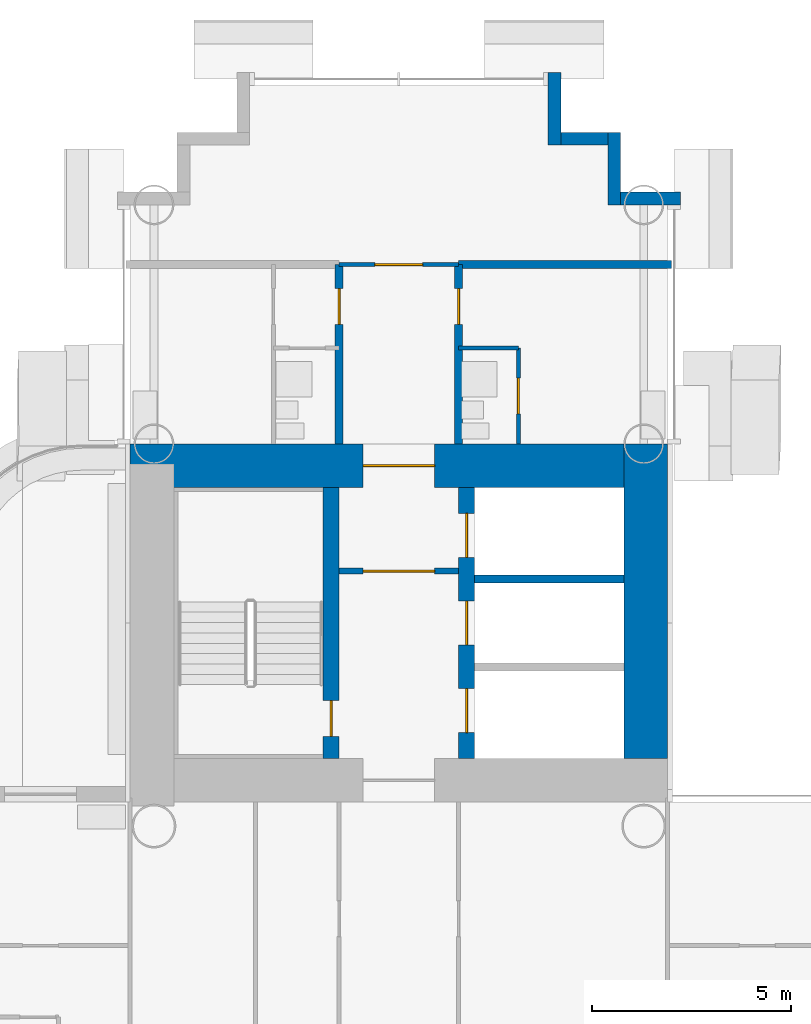
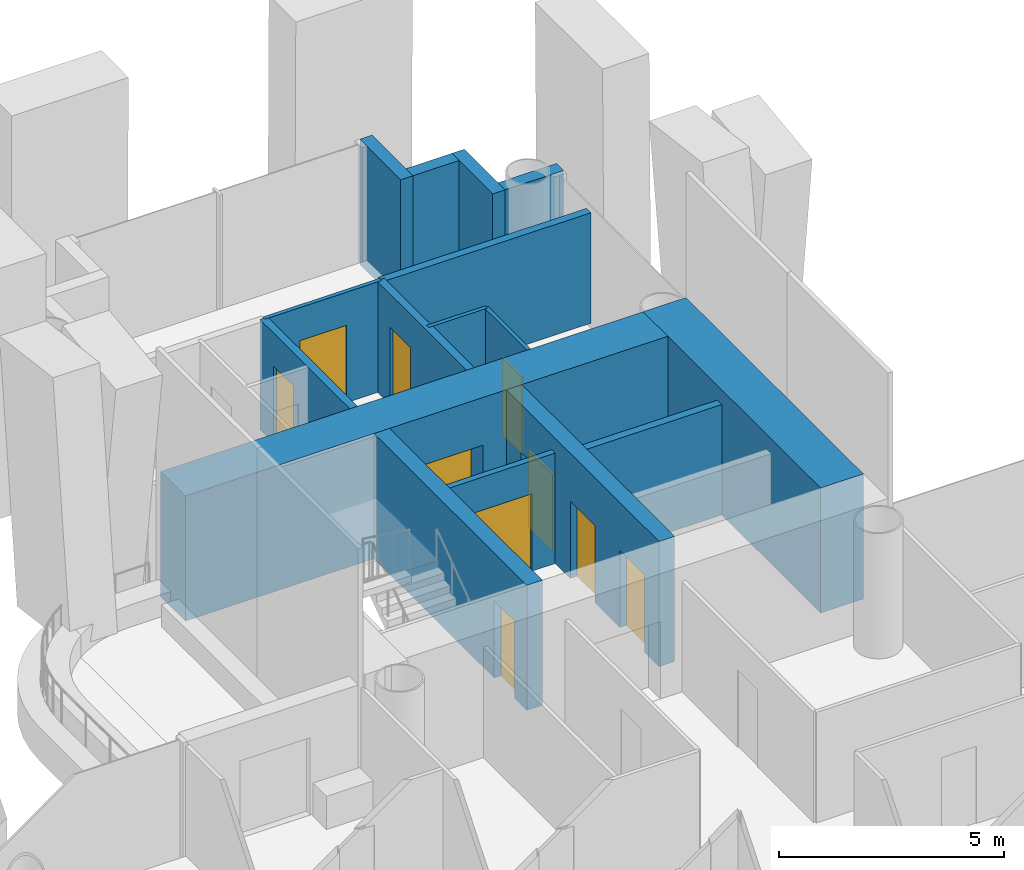
# One storey, part 16 of 23: 16 walls, 10 doors, 10 openings.
"""IFC4 building model written with IfcOpenShell, lengths in metres."""

import ifcopenshell
import ifcopenshell.guid

model = None  # the IFC model being written
_history = None  # IfcOwnerHistory: only IFC2X3 demands one
_inside = {}  # id of a spatial element -> (the spatial element, [elements in it])
_under = {}  # id of a project, library or spatial element -> (it, [spatial elements below it])
_declared = {}  # id of a project -> (the project, [libraries it declares])
_typed = {}  # id of a type object -> (the type object, [elements of that type])
_made_of = {}  # id of a material, layer set ... -> (it, [elements and type objects made of it])


def new_model(schema):
    """Start an empty IFC model of exactly this schema.

    Asked for "IFC4X3", IfcOpenShell would pick the latest addendum, in which some entities
    have other attributes; the version numbers below select the first issue.
    IFC2X3 requires an IfcOwnerHistory on every rooted entity: one is made here for all.
    """
    global model, _history
    if schema == "IFC4X3":
        model = ifcopenshell.file(schema_version=(4, 3, 0, 0))
    else:
        model = ifcopenshell.file(schema=schema)
    _inside.clear()
    _under.clear()
    _declared.clear()
    _typed.clear()
    _made_of.clear()
    _history = None
    if model.schema == "IFC2X3":
        org = make("IfcOrganization", Name="unknown")
        user = make(
            "IfcPersonAndOrganization",
            ThePerson=make("IfcPerson", FamilyName="unknown"),
            TheOrganization=org,
        )
        app = make(
            "IfcApplication",
            ApplicationDeveloper=org,
            Version="unknown",
            ApplicationFullName="unknown",
            ApplicationIdentifier="unknown",
        )
        _history = make(
            "IfcOwnerHistory",
            OwningUser=user,
            OwningApplication=app,
            ChangeAction="ADDED",
            CreationDate=0,
        )
    return model


def make(cls, **values):
    """One entity of the class cls with the attributes given. An attribute that is None is left unset."""
    return model.create_entity(
        cls, **{name: value for name, value in values.items() if value is not None}
    )


def rooted(cls, **values):
    """An entity with a GlobalId (a new one), such as an element, a storey or a relation."""
    return make(cls, GlobalId=ifcopenshell.guid.new(), OwnerHistory=_history, **values)


def si_unit(unit_type, name, prefix=None):
    """IfcSIUnit, for example si_unit("LENGTHUNIT", "METRE", prefix="MILLI")."""
    return make("IfcSIUnit", UnitType=unit_type, Prefix=prefix, Name=name)


def assignment(units):
    """IfcUnitAssignment: the units of a project."""
    return None if units is None else make("IfcUnitAssignment", Units=units)


def point(xyz):
    """IfcCartesianPoint."""
    return None if xyz is None else make("IfcCartesianPoint", Coordinates=xyz)


def direction(xyz):
    """IfcDirection."""
    return None if xyz is None else make("IfcDirection", DirectionRatios=xyz)


def frame(location, z_axis=None, x_axis=None):
    """IfcAxis2Placement3D, a coordinate frame: its origin and axes. An axis left out is left unset."""
    return make(
        "IfcAxis2Placement3D",
        Location=point(location),
        Axis=direction(z_axis),
        RefDirection=direction(x_axis),
    )


def frame_2d(location, x_axis=None):
    """IfcAxis2Placement2D, a coordinate frame in the plane: its origin and x axis."""
    return make(
        "IfcAxis2Placement2D", Location=point(location), RefDirection=direction(x_axis)
    )


def origin():
    """The frame at (0, 0, 0) with its axes left unset."""
    return frame((0.0, 0.0, 0.0))


def place(relative_to, where):
    """IfcLocalPlacement: puts the frame where relative to a parent placement (None: the world)."""
    return make(
        "IfcLocalPlacement", PlacementRelTo=relative_to, RelativePlacement=where
    )


def context(
    kind, dimensions, precision=None, world=None, true_north=None, identifier=None
):
    """IfcGeometricRepresentationContext, for example the 3D "Model" context."""
    return make(
        "IfcGeometricRepresentationContext",
        ContextIdentifier=identifier,
        ContextType=kind,
        CoordinateSpaceDimension=dimensions,
        Precision=precision,
        WorldCoordinateSystem=world,
        TrueNorth=true_north,
    )


def subcontext(parent, identifier, kind, view, scale=None):
    """IfcGeometricRepresentationSubContext, for example "Body" below "Model"."""
    return make(
        "IfcGeometricRepresentationSubContext",
        ContextIdentifier=identifier,
        ContextType=kind,
        ParentContext=parent,
        TargetScale=scale,
        TargetView=view,
    )


def project(units=None, contexts=None):
    """IfcProject with its units and contexts."""
    return rooted(
        "IfcProject",
        Name="project",
        RepresentationContexts=contexts,
        UnitsInContext=assignment(units),
    )


def spatial(cls, under=None, at=None, **own):
    """A site, building, storey or space (cls), placed at a placement, below another one or the project."""
    s = rooted(cls, ObjectPlacement=at, **own)
    if under is not None:
        _under.setdefault(under.id(), (under, []))[1].append(s)
    return s


def profile(cls, at=None, kind="AREA", **sizes):
    """A parametric profile (cls). Its sizes go by their IFC names, for example OverallWidth=200.0."""
    return make(cls, ProfileType=kind, Position=at, **sizes)


def rectangle(**sizes):
    """IfcRectangleProfileDef."""
    return profile("IfcRectangleProfileDef", **sizes)


def extrude(swept, where, along, depth):
    """IfcExtrudedAreaSolid: the profile swept, set in the frame where, extruded along a direction by depth."""
    return make(
        "IfcExtrudedAreaSolid",
        SweptArea=swept,
        Position=where,
        ExtrudedDirection=direction(along),
        Depth=depth,
    )


def shape(context_of_items, identifier, shape_type, items):
    """IfcShapeRepresentation: the items that make up one representation, for example the "Body"."""
    return make(
        "IfcShapeRepresentation",
        ContextOfItems=context_of_items,
        RepresentationIdentifier=identifier,
        RepresentationType=shape_type,
        Items=items,
    )


def material(Name=None, Category=None):
    """IfcMaterial."""
    return make("IfcMaterial", Name=Name, Category=Category)


def layer(
    of_material, thickness, ventilated=None, Name=None, Category=None, Priority=None
):
    """IfcMaterialLayer: one layer of a wall or slab, of a material (None: an air gap)."""
    return make(
        "IfcMaterialLayer",
        Material=of_material,
        LayerThickness=thickness,
        IsVentilated=ventilated,
        Name=Name,
        Category=Category,
        Priority=Priority,
    )


def layer_set(layers, Name=None):
    """IfcMaterialLayerSet."""
    return make("IfcMaterialLayerSet", MaterialLayers=layers, LayerSetName=Name)


def made_of(thing, what):
    """Note that an element or type object is made of a material, layer set ...; save() writes the relation."""
    if what is not None:
        _made_of.setdefault(what.id(), (what, []))[1].append(thing)
    return thing


def type_object(cls, material=None, **own):
    """A type object (cls), such as IfcWallType, which elements share."""
    return made_of(rooted(cls, **own), material)


def element(
    cls,
    number,
    at=None,
    inside=None,
    cuts=None,
    type_object=None,
    material=None,
    context=None,
    identifier="Body",
    shape_type=None,
    held_by="IfcProductDefinitionShape",
    body=None,
    shapes=None,
    **own,
):
    """One element of the class cls, such as IfcWall. Its Tag is "e" and its number.

    at: its placement. inside: the storey or other place that contains it. cuts: it is an
    opening in that element (IfcRelVoidsElement). A single representation is given by context,
    identifier, shape_type and body (its items); several are given by shapes. held_by: the class
    of the entity that holds the representations. save() writes the other relations.
    """
    e = rooted(cls, Tag="e%d" % number, ObjectPlacement=at, **own)
    if body is not None:
        shapes = [shape(context, identifier, shape_type, body)]
    if shapes is not None:
        e.Representation = make(held_by, Representations=shapes)
    if inside is not None:
        _inside.setdefault(inside.id(), (inside, []))[1].append(e)
    if cuts is not None:
        rooted(
            "IfcRelVoidsElement", RelatingBuildingElement=cuts, RelatedOpeningElement=e
        )
    if type_object is not None:
        _typed.setdefault(type_object.id(), (type_object, []))[1].append(e)
    return made_of(e, material)


def fill(opening, filler):
    """IfcRelFillsElement: the door or window that sits in an opening."""
    return rooted(
        "IfcRelFillsElement",
        RelatingOpeningElement=opening,
        RelatedBuildingElement=filler,
    )


def aggregate(whole, parts):
    """IfcRelAggregates: a whole, such as a stair, and the parts it consists of."""
    return rooted("IfcRelAggregates", RelatingObject=whole, RelatedObjects=parts)


def save(model, path):
    """Write the relations noted so far, then the file.

    IfcRelAggregates (storeys below a building ...), IfcRelContainedInSpatialStructure (elements
    in a storey), IfcRelDefinesByType, IfcRelAssociatesMaterial and IfcRelDeclares: one each for
    every whole, place, type object, material and project.
    """
    for whole, parts in _under.values():
        aggregate(whole, parts)
    for where, things in _inside.values():
        rooted(
            "IfcRelContainedInSpatialStructure",
            RelatedElements=things,
            RelatingStructure=where,
        )
    for kind, things in _typed.values():
        rooted("IfcRelDefinesByType", RelatedObjects=things, RelatingType=kind)
    for what, things in _made_of.values():
        rooted("IfcRelAssociatesMaterial", RelatedObjects=things, RelatingMaterial=what)
    for by, libraries in _declared.values():
        rooted("IfcRelDeclares", RelatingContext=by, RelatedDefinitions=libraries)
    model.write(path)


model = new_model("IFC4")

# Units and contexts
model_context = context("Model", 3, precision=1e-05, world=origin(), true_north=direction((0.0, 1.0)))
body_context = subcontext(model_context, "Body", "Model", "MODEL_VIEW")
ifc_project = project(units=[si_unit("LENGTHUNIT", "METRE"), si_unit("AREAUNIT", "SQUARE_METRE"), si_unit("VOLUMEUNIT", "CUBIC_METRE"), si_unit("PLANEANGLEUNIT", "RADIAN"), si_unit("MASSUNIT", "GRAM", prefix="KILO")], contexts=[model_context])

# Site, building, storey
site_placement = place(None, origin())
site = spatial("IfcSite", under=ifc_project, at=site_placement, CompositionType="ELEMENT")
building_placement = place(site_placement, origin())
building = spatial("IfcBuilding", under=site, at=building_placement, Name="Ipe Terrace Towers", CompositionType="ELEMENT")
storey_placement = place(building_placement, frame((0.0, 0.0, 44.89990234375)))
storey = spatial("IfcBuildingStorey", under=building, at=storey_placement, Name="L11", CompositionType="ELEMENT", Elevation=44.89990234375)

# Walls
ifc_material_1 = material(Name="Concrete C40/50 with buff precast cladding", Category="concrete")
ifc_layer_1 = layer(ifc_material_1, 0.320068359375)
ifc_layer_set_1 = layer_set([ifc_layer_1], Name="BUFF CLADDING WALL 320")
wall_type_1 = type_object("IfcWallType", Name="BUFF CLADDING WALL 320", PredefinedType="STANDARD", material=ifc_layer_set_1)
wall_1_placement = place(storey_placement, frame((43.070068359375, 21.909912109375, -0.2998046875), z_axis=(0.0, 0.0, 1.0), x_axis=(-1.0, 0.0, 0.0)))
element("IfcWall", 1, at=wall_1_placement, inside=storey, type_object=wall_type_1, Name="T2-W-L11-21a wall", PredefinedType="STANDARD", context=body_context, shape_type="SweptSolid", body=[
    extrude(rectangle(XDim=1.5, YDim=0.320068359375, at=frame_2d((0.75, 0.0))), origin(), (0.0, 0.0, 1.0), 3.39990234375),
])
wall_2_placement = place(storey_placement, frame((41.409912109375, 21.75, -0.2998046875), z_axis=(0.0, 0.0, 1.0), x_axis=(0.0, 1.0, 0.0)))
element("IfcWall", 2, at=wall_2_placement, inside=storey, type_object=wall_type_1, Name="T2-W-L11-22a wall", PredefinedType="STANDARD", context=body_context, shape_type="SweptSolid", body=[
    extrude(rectangle(XDim=1.820068359375, YDim=0.320068359375, at=frame_2d((0.91015625, 0.0))), origin(), (0.0, 0.0, 1.0), 3.39990234375),
])
wall_3_placement = place(storey_placement, frame((41.25, 23.409912109375, -0.2998046875), z_axis=(0.0, 0.0, 1.0), x_axis=(-1.0, 0.0, 0.0)))
element("IfcWall", 3, at=wall_3_placement, inside=storey, type_object=wall_type_1, Name="T2-W-L11-23a wall", PredefinedType="STANDARD", context=body_context, shape_type="SweptSolid", body=[
    extrude(rectangle(XDim=1.179931640625, YDim=0.320068359375, at=frame_2d((0.58984375, 0.0))), origin(), (0.0, 0.0, 1.0), 3.39990234375),
])
wall_4_placement = place(storey_placement, frame((39.909912109375, 23.25, -0.2998046875), z_axis=(0.0, 0.0, 1.0), x_axis=(0.0, 1.0, 0.0)))
element("IfcWall", 4, at=wall_4_placement, inside=storey, type_object=wall_type_1, Name="T2-W-L11-24a wall", PredefinedType="STANDARD", context=body_context, shape_type="SweptSolid", body=[
    extrude(rectangle(XDim=1.820068359375, YDim=0.320068359375, at=frame_2d((0.91015625, 0.0))), origin(), (0.0, 0.0, 1.0), 3.39990234375),
])
ifc_material_2 = material(Name="Gypsum board partition", Category="plasterboard")
ifc_layer_2 = layer(ifc_material_2, 0.10009765625)
ifc_layer_set_2 = layer_set([ifc_layer_2], Name="Gypsum board partition 100 mm")
wall_type_2 = type_object("IfcWallType", Name="Gypsum board partition 100 mm", PredefinedType="PARTITIONING", material=ifc_layer_set_2)
wall_5_placement = place(storey_placement, frame((39.0, 18.14990234375, 0.0), z_axis=(0.0, 0.0, 1.0), x_axis=(-1.0, 0.0, 0.0)))
element("IfcWall", 5, at=wall_5_placement, inside=storey, type_object=wall_type_2, Name="Gypsum board partition T2 L11 W19", PredefinedType="PARTITIONING", context=body_context, shape_type="SweptSolid", body=[
    extrude(rectangle(XDim=1.5, YDim=0.10009765625, at=frame_2d((0.75, 0.0))), origin(), (0.0, 0.0, 1.0), 3.0),
])

# Wall, opening, door
wall_6_placement = place(storey_placement, frame((37.5, 20.25, 0.0), z_axis=(0.0, 0.0, 1.0), x_axis=(-1.0, 0.0, 0.0)))
wall_6 = element("IfcWall", 6, at=wall_6_placement, inside=storey, type_object=wall_type_2, Name="Gypsum board partition T2 L11 W21", PredefinedType="PARTITIONING", context=body_context, shape_type="SweptSolid", body=[
    extrude(rectangle(XDim=3.0, YDim=0.10009765625, at=frame_2d((1.5, 0.0))), origin(), (0.0, 0.0, 1.0), 3.0),
])
opening_1_placement = place(wall_6_placement, frame((0.89990234375, 0.0, 0.0)))
opening_1 = element("IfcOpeningElement", 7, at=opening_1_placement, cuts=wall_6, Name="Opening T2-Z1C-26", PredefinedType="OPENING", context=body_context, shape_type="SweptSolid", body=[
    extrude(rectangle(XDim=1.199951171875, YDim=2.10009765625, at=frame_2d((0.60009765625, 1.050048828125))), frame((0.0, 0.06005859375, 0.0), z_axis=(0.0, -1.0, 0.0), x_axis=(1.0, 0.0, 0.0)), (0.0, 0.0, 1.0), 0.1201171875),
])
ifc_material_3 = material(Name="Timber door leaf", Category="wood")
door_type_1 = type_object("IfcDoorType", Name="Lounge door 1200 x 2100", OperationType="NOTDEFINED", PredefinedType="DOOR", material=ifc_material_3)
door_1_placement = place(opening_1_placement, origin())
door_1 = element("IfcDoor", 8, at=door_1_placement, inside=storey, type_object=door_type_1, Name="Lounge door T2-Z1C-26", OperationType="SINGLE_SWING_RIGHT", OverallHeight=2.10009765625, OverallWidth=1.199951171875, PredefinedType="DOOR", context=body_context, shape_type="SweptSolid", body=[
    extrude(rectangle(XDim=1.199951171875, YDim=2.10009765625, at=frame_2d((0.60009765625, 1.050048828125))), frame((0.0, 0.02490234375, 0.0), z_axis=(0.0, -1.0, 0.0), x_axis=(1.0, 0.0, 0.0)), (0.0, 0.0, 1.0), 0.050048828125),
])
fill(opening_1, door_1)

wall_7_placement = place(storey_placement, frame((39.0, 15.75, 0.0), z_axis=(0.0, 0.0, 1.0), x_axis=(0.0, 1.0, 0.0)))
wall_7 = element("IfcWall", 9, at=wall_7_placement, inside=storey, type_object=wall_type_2, Name="Gypsum board partition T2 L11 W33", PredefinedType="PARTITIONING", context=body_context, shape_type="SweptSolid", body=[
    extrude(rectangle(XDim=2.39990234375, YDim=0.10009765625, at=frame_2d((1.199951171875, 0.0))), origin(), (0.0, 0.0, 1.0), 3.0),
])
opening_2_placement = place(wall_7_placement, frame((0.75, 0.0, 0.0)))
opening_2 = element("IfcOpeningElement", 10, at=opening_2_placement, cuts=wall_7, Name="Opening T2-Z1C-25", PredefinedType="OPENING", context=body_context, shape_type="SweptSolid", body=[
    extrude(rectangle(XDim=0.89990234375, YDim=2.10009765625, at=frame_2d((0.449951171875, 1.050048828125))), frame((0.0, 0.06005859375, 0.0), z_axis=(0.0, -1.0, 0.0), x_axis=(1.0, 0.0, 0.0)), (0.0, 0.0, 1.0), 0.1201171875),
])
ifc_material_4 = material(Name="Timber door leaf", Category="wood")
door_type_2 = type_object("IfcDoorType", Name="Bathroom door 900 x 2100", OperationType="NOTDEFINED", PredefinedType="DOOR", material=ifc_material_4)
door_2_placement = place(opening_2_placement, origin())
door_2 = element("IfcDoor", 11, at=door_2_placement, inside=storey, type_object=door_type_2, Name="Bathroom door T2-Z1C-25", OperationType="SINGLE_SWING_LEFT", OverallHeight=2.10009765625, OverallWidth=0.89990234375, PredefinedType="DOOR", context=body_context, shape_type="SweptSolid", body=[
    extrude(rectangle(XDim=0.89990234375, YDim=2.10009765625, at=frame_2d((0.449951171875, 1.050048828125))), frame((0.0, 0.02490234375, 0.0), z_axis=(0.0, -1.0, 0.0), x_axis=(1.0, 0.0, 0.0)), (0.0, 0.0, 1.0), 0.050048828125),
])
fill(opening_2, door_2)

ifc_material_5 = material(Name="Gypsum board partition", Category="plasterboard")
ifc_layer_3 = layer(ifc_material_5, 0.14990234375)
ifc_layer_set_3 = layer_set([ifc_layer_3], Name="Gypsum board partition 150 mm")
wall_type_3 = type_object("IfcWallType", Name="Gypsum board partition 150 mm", PredefinedType="PARTITIONING", material=ifc_layer_set_3)
wall_8_placement = place(storey_placement, frame((37.5, 12.550048828125, 0.0), z_axis=(0.0, 0.0, 1.0), x_axis=(-1.0, 0.0, 0.0)))
wall_8 = element("IfcWall", 12, at=wall_8_placement, inside=storey, type_object=wall_type_3, Name="Gypsum board partition T2 L11 t2c1-lobby-wall", PredefinedType="PARTITIONING", context=body_context, shape_type="SweptSolid", body=[
    extrude(rectangle(XDim=3.0, YDim=0.14990234375, at=frame_2d((1.5, 0.0))), origin(), (0.0, 0.0, 1.0), 3.0),
])
opening_3_placement = place(wall_8_placement, frame((0.60009765625, 0.0, 0.0)))
opening_3 = element("IfcOpeningElement", 13, at=opening_3_placement, cuts=wall_8, Name="Opening T2C1-VD", PredefinedType="OPENING", context=body_context, shape_type="SweptSolid", body=[
    extrude(rectangle(XDim=1.800048828125, YDim=2.10009765625, at=frame_2d((0.89990234375, 1.050048828125))), frame((0.0, 0.0849609375, 0.0), z_axis=(0.0, -1.0, 0.0), x_axis=(1.0, 0.0, 0.0)), (0.0, 0.0, 1.0), 0.169921875),
])
ifc_material_6 = material(Name="Fire-rated timber door leaf", Category="wood")
door_type_3 = type_object("IfcDoorType", Name="Lobby door 1800 x 2100 FD60", OperationType="NOTDEFINED", PredefinedType="DOOR", material=ifc_material_6)
door_3_placement = place(opening_3_placement, origin())
door_3 = element("IfcDoor", 14, at=door_3_placement, inside=storey, type_object=door_type_3, Name="Lobby door T2C1-VD", OperationType="SINGLE_SWING_LEFT", OverallHeight=2.10009765625, OverallWidth=1.800048828125, PredefinedType="DOOR", context=body_context, shape_type="SweptSolid", body=[
    extrude(rectangle(XDim=1.800048828125, YDim=2.10009765625, at=frame_2d((0.89990234375, 1.050048828125))), frame((0.0, 0.02490234375, 0.0), z_axis=(0.0, -1.0, 0.0), x_axis=(1.0, 0.0, 0.0)), (0.0, 0.0, 1.0), 0.050048828125),
])
fill(opening_3, door_3)

# Walls
ifc_material_7 = material(Name="Gypsum board party wall", Category="plasterboard")
ifc_layer_4 = layer(ifc_material_7, 0.199951171875)
ifc_layer_set_4 = layer_set([ifc_layer_4], Name="Gypsum board party wall 200 mm")
wall_type_4 = type_object("IfcWallType", Name="Gypsum board party wall 200 mm", PredefinedType="SOLIDWALL", material=ifc_layer_set_4)
wall_9_placement = place(storey_placement, frame((41.64990234375, 12.35009765625, 0.0), z_axis=(0.0, 0.0, 1.0), x_axis=(-1.0, 0.0, 0.0)))
element("IfcWall", 15, at=wall_9_placement, inside=storey, type_object=wall_type_4, Name="Gypsum board party wall T2 L11 t2c1-shaft-div2", PredefinedType="SOLIDWALL", context=body_context, shape_type="SweptSolid", body=[
    extrude(rectangle(XDim=3.75, YDim=0.199951171875, at=frame_2d((1.875, 0.0))), origin(), (0.0, 0.0, 1.0), 3.0),
])
wall_10_placement = place(storey_placement, frame((42.85009765625, 20.25, 0.0), z_axis=(0.0, 0.0, 1.0), x_axis=(-1.0, 0.0, 0.0)))
element("IfcWall", 16, at=wall_10_placement, inside=storey, type_object=wall_type_4, Name="Gypsum board party wall T2 L11 W22", PredefinedType="SOLIDWALL", context=body_context, shape_type="SweptSolid", body=[
    extrude(rectangle(XDim=5.35009765625, YDim=0.199951171875, at=frame_2d((2.675048828125, 0.0))), origin(), (0.0, 0.0, 1.0), 3.0),
])

# Wall, opening, door
wall_11_placement = place(storey_placement, frame((37.5, 15.75, 0.0), z_axis=(0.0, 0.0, 1.0), x_axis=(0.0, 1.0, 0.0)))
wall_11 = element("IfcWall", 17, at=wall_11_placement, inside=storey, type_object=wall_type_4, Name="Gypsum board party wall T2 L11 W38", PredefinedType="SOLIDWALL", context=body_context, shape_type="SweptSolid", body=[
    extrude(rectangle(XDim=4.5, YDim=0.199951171875, at=frame_2d((2.25, 0.0))), origin(), (0.0, 0.0, 1.0), 3.0),
])
opening_4_placement = place(wall_11_placement, frame((3.0, 0.0, 0.0)))
opening_4 = element("IfcOpeningElement", 18, at=opening_4_placement, cuts=wall_11, Name="Opening T2-Z1C-24", PredefinedType="OPENING", context=body_context, shape_type="SweptSolid", body=[
    extrude(rectangle(XDim=0.89990234375, YDim=2.10009765625, at=frame_2d((0.449951171875, 1.050048828125))), frame((0.0, 0.10986328125, 0.0), z_axis=(0.0, -1.0, 0.0), x_axis=(1.0, 0.0, 0.0)), (0.0, 0.0, 1.0), 0.219970703125),
])
ifc_material_8 = material(Name="Fire-rated timber door leaf", Category="wood")
door_type_4 = type_object("IfcDoorType", Name="Flat entrance door 900 x 2100 FD30S", OperationType="NOTDEFINED", PredefinedType="DOOR", material=ifc_material_8)
door_4_placement = place(opening_4_placement, origin())
door_4 = element("IfcDoor", 19, at=door_4_placement, inside=storey, type_object=door_type_4, Name="Flat entrance door T2-Z1C-24", OperationType="SINGLE_SWING_RIGHT", OverallHeight=2.10009765625, OverallWidth=0.89990234375, PredefinedType="DOOR", context=body_context, shape_type="SweptSolid", body=[
    extrude(rectangle(XDim=0.89990234375, YDim=2.10009765625, at=frame_2d((0.449951171875, 1.050048828125))), frame((0.0, 0.02490234375, 0.0), z_axis=(0.0, -1.0, 0.0), x_axis=(1.0, 0.0, 0.0)), (0.0, 0.0, 1.0), 0.050048828125),
])
fill(opening_4, door_4)

wall_12_placement = place(storey_placement, frame((34.5, 15.75, 0.0), z_axis=(0.0, 0.0, 1.0), x_axis=(0.0, 1.0, 0.0)))
wall_12 = element("IfcWall", 20, at=wall_12_placement, inside=storey, type_object=wall_type_4, Name="Gypsum board party wall T2 L11 W43", PredefinedType="SOLIDWALL", context=body_context, shape_type="SweptSolid", body=[
    extrude(rectangle(XDim=4.5, YDim=0.199951171875, at=frame_2d((2.25, 0.0))), origin(), (0.0, 0.0, 1.0), 3.0),
])
opening_5_placement = place(wall_12_placement, frame((3.0, 0.0, 0.0)))
opening_5 = element("IfcOpeningElement", 21, at=opening_5_placement, cuts=wall_12, Name="Opening T2-Z1C-21", PredefinedType="OPENING", context=body_context, shape_type="SweptSolid", body=[
    extrude(rectangle(XDim=0.89990234375, YDim=2.10009765625, at=frame_2d((0.449951171875, 1.050048828125))), frame((0.0, 0.10986328125, 0.0), z_axis=(0.0, -1.0, 0.0), x_axis=(1.0, 0.0, 0.0)), (0.0, 0.0, 1.0), 0.219970703125),
])
door_5_placement = place(opening_5_placement, origin())
door_5 = element("IfcDoor", 22, at=door_5_placement, inside=storey, type_object=door_type_4, Name="Flat entrance door T2-Z1C-21", OperationType="SINGLE_SWING_LEFT", OverallHeight=2.10009765625, OverallWidth=0.89990234375, PredefinedType="DOOR", context=body_context, shape_type="SweptSolid", body=[
    extrude(rectangle(XDim=0.89990234375, YDim=2.10009765625, at=frame_2d((0.449951171875, 1.050048828125))), frame((0.0, 0.02490234375, 0.0), z_axis=(0.0, -1.0, 0.0), x_axis=(1.0, 0.0, 0.0)), (0.0, 0.0, 1.0), 0.050048828125),
])
fill(opening_5, door_5)

# Wall
ifc_material_9 = material(Name="Concrete C60/75", Category="concrete")
ifc_layer_5 = layer(ifc_material_9, 1.10009765625)
ifc_layer_set_5 = layer_set([ifc_layer_5], Name="RW1100 CORE WALL 1100 C60-75")
wall_type_5 = type_object("IfcWallType", Name="RW1100 CORE WALL 1100 C60-75", PredefinedType="SHEAR", material=ifc_layer_set_5)
wall_13_placement = place(storey_placement, frame((42.199951171875, 7.85009765625, 0.0), z_axis=(0.0, 0.0, 1.0), x_axis=(0.0, 1.0, 0.0)))
element("IfcWall", 23, at=wall_13_placement, inside=storey, type_object=wall_type_5, Name="Core wall T2-C1-Z1-W02", PredefinedType="SHEAR", context=body_context, shape_type="SweptSolid", body=[
    extrude(rectangle(XDim=7.89990234375, YDim=1.10009765625, at=frame_2d((3.949951171875, 0.0))), origin(), (0.0, 0.0, 1.0), 3.400146484375),
])

# Wall, opening, door
wall_14_placement = place(storey_placement, frame((41.64990234375, 15.199951171875, 0.0), z_axis=(0.0, 0.0, 1.0), x_axis=(-1.0, 0.0, 0.0)))
wall_14 = element("IfcWall", 24, at=wall_14_placement, inside=storey, type_object=wall_type_5, Name="Core wall T2-C1-Z1-W03", PredefinedType="SHEAR", context=body_context, shape_type="SweptSolid", body=[
    extrude(rectangle(XDim=12.39990234375, YDim=1.10009765625, at=frame_2d((6.199951171875, 0.0))), origin(), (0.0, 0.0, 1.0), 3.400146484375),
])
opening_6_placement = place(wall_14_placement, frame((4.75, 0.0, 0.0)))
opening_6 = element("IfcOpeningElement", 25, at=opening_6_placement, cuts=wall_14, Name="Opening T2C1-FD", PredefinedType="OPENING", context=body_context, shape_type="SweptSolid", body=[
    extrude(rectangle(XDim=1.800048828125, YDim=2.10009765625, at=frame_2d((0.89990234375, 1.050048828125))), frame((0.0, 0.56005859375, 0.0), z_axis=(0.0, -1.0, 0.0), x_axis=(1.0, 0.0, 0.0)), (0.0, 0.0, 1.0), 1.1201171875),
])
ifc_material_10 = material(Name="Fire-rated timber door leaf", Category="wood")
door_type_5 = type_object("IfcDoorType", Name="Fire door 1800 x 2100 FD30S", OperationType="NOTDEFINED", PredefinedType="DOOR", material=ifc_material_10)
door_6_placement = place(opening_6_placement, origin())
door_6 = element("IfcDoor", 26, at=door_6_placement, inside=storey, type_object=door_type_5, Name="Fire door T2C1-FD", OperationType="SINGLE_SWING_LEFT", OverallHeight=2.10009765625, OverallWidth=1.800048828125, PredefinedType="DOOR", context=body_context, shape_type="SweptSolid", body=[
    extrude(rectangle(XDim=1.800048828125, YDim=2.10009765625, at=frame_2d((0.89990234375, 1.050048828125))), frame((0.0, 0.02490234375, 0.0), z_axis=(0.0, -1.0, 0.0), x_axis=(1.0, 0.0, 0.0)), (0.0, 0.0, 1.0), 0.050048828125),
])
fill(opening_6, door_6)

ifc_material_11 = material(Name="Concrete C60/75", Category="concrete")
ifc_layer_6 = layer(ifc_material_11, 0.39990234375)
ifc_layer_set_6 = layer_set([ifc_layer_6], Name="RW400 CORE SPINE WALL 400 C60-75")
wall_type_6 = type_object("IfcWallType", Name="RW400 CORE SPINE WALL 400 C60-75", PredefinedType="SHEAR", material=ifc_layer_set_6)
wall_15_placement = place(storey_placement, frame((34.300048828125, 7.85009765625, 0.0), z_axis=(0.0, 0.0, 1.0), x_axis=(0.0, 1.0, 0.0)))
wall_15 = element("IfcWall", 27, at=wall_15_placement, inside=storey, type_object=wall_type_6, Name="Core spine wall T2-C1-Z1-SW1", PredefinedType="SHEAR", context=body_context, shape_type="SweptSolid", body=[
    extrude(rectangle(XDim=6.7998046875, YDim=0.39990234375, at=frame_2d((3.39990234375, 0.0))), origin(), (0.0, 0.0, 1.0), 3.400146484375),
])
opening_7_placement = place(wall_15_placement, frame((0.550048828125, 0.0, 0.0)))
opening_7 = element("IfcOpeningElement", 28, at=opening_7_placement, cuts=wall_15, Name="Opening T2C1-SD", PredefinedType="OPENING", context=body_context, shape_type="SweptSolid", body=[
    extrude(rectangle(XDim=0.89990234375, YDim=2.10009765625, at=frame_2d((0.449951171875, 1.050048828125))), frame((0.0, 0.2099609375, 0.0), z_axis=(0.0, -1.0, 0.0), x_axis=(1.0, 0.0, 0.0)), (0.0, 0.0, 1.0), 0.419921875),
])
ifc_material_12 = material(Name="Fire-rated timber door leaf", Category="wood")
door_type_6 = type_object("IfcDoorType", Name="Stair door 900 x 2100 FD60", OperationType="NOTDEFINED", PredefinedType="DOOR", material=ifc_material_12)
door_7_placement = place(opening_7_placement, origin())
door_7 = element("IfcDoor", 29, at=door_7_placement, inside=storey, type_object=door_type_6, Name="Stair door T2C1-SD", OperationType="SINGLE_SWING_LEFT", OverallHeight=2.10009765625, OverallWidth=0.89990234375, PredefinedType="DOOR", context=body_context, shape_type="SweptSolid", body=[
    extrude(rectangle(XDim=0.89990234375, YDim=2.10009765625, at=frame_2d((0.449951171875, 1.050048828125))), frame((0.0, 0.02490234375, 0.0), z_axis=(0.0, -1.0, 0.0), x_axis=(1.0, 0.0, 0.0)), (0.0, 0.0, 1.0), 0.050048828125),
])
fill(opening_7, door_7)

# Wall, openings, doors
wall_16_placement = place(storey_placement, frame((37.699951171875, 7.85009765625, 0.0), z_axis=(0.0, 0.0, 1.0), x_axis=(0.0, 1.0, 0.0)))
wall_16 = element("IfcWall", 30, at=wall_16_placement, inside=storey, type_object=wall_type_6, Name="Core spine wall T2-C1-Z1-SW2", PredefinedType="SHEAR", context=body_context, shape_type="SweptSolid", body=[
    extrude(rectangle(XDim=6.7998046875, YDim=0.39990234375, at=frame_2d((3.39990234375, 0.0))), origin(), (0.0, 0.0, 1.0), 3.400146484375),
])
opening_8_placement = place(wall_16_placement, frame((0.64990234375, 0.0, 0.0)))
opening_8 = element("IfcOpeningElement", 31, at=opening_8_placement, cuts=wall_16, Name="Opening T2C1-LD1", PredefinedType="OPENING", context=body_context, shape_type="SweptSolid", body=[
    extrude(rectangle(XDim=1.10009765625, YDim=2.10009765625, at=frame_2d((0.550048828125, 1.050048828125))), frame((0.0, 0.2099609375, 0.0), z_axis=(0.0, -1.0, 0.0), x_axis=(1.0, 0.0, 0.0)), (0.0, 0.0, 1.0), 0.419921875),
])
opening_9_placement = place(wall_16_placement, frame((2.85009765625, 0.0, 0.0)))
opening_9 = element("IfcOpeningElement", 32, at=opening_9_placement, cuts=wall_16, Name="Opening T2C1-LD2", PredefinedType="OPENING", context=body_context, shape_type="SweptSolid", body=[
    extrude(rectangle(XDim=1.10009765625, YDim=2.10009765625, at=frame_2d((0.550048828125, 1.050048828125))), frame((0.0, 0.2099609375, 0.0), z_axis=(0.0, -1.0, 0.0), x_axis=(1.0, 0.0, 0.0)), (0.0, 0.0, 1.0), 0.419921875),
])
opening_10_placement = place(wall_16_placement, frame((5.050048828125, 0.0, 0.0)))
opening_10 = element("IfcOpeningElement", 33, at=opening_10_placement, cuts=wall_16, Name="Opening T2C1-LD3", PredefinedType="OPENING", context=body_context, shape_type="SweptSolid", body=[
    extrude(rectangle(XDim=1.10009765625, YDim=2.10009765625, at=frame_2d((0.550048828125, 1.050048828125))), frame((0.0, 0.2099609375, 0.0), z_axis=(0.0, -1.0, 0.0), x_axis=(1.0, 0.0, 0.0)), (0.0, 0.0, 1.0), 0.419921875),
])
ifc_material_13 = material(Name="Fire-rated timber door leaf", Category="wood")
door_type_7 = type_object("IfcDoorType", Name="Sliding door 1100 x 2100 FD60", OperationType="SLIDING_TO_LEFT", PredefinedType="DOOR", material=ifc_material_13)
door_8_placement = place(opening_8_placement, origin())
door_8 = element("IfcDoor", 34, at=door_8_placement, inside=storey, type_object=door_type_7, Name="Sliding door T2C1-LD1", OperationType="SLIDING_TO_LEFT", OverallHeight=2.10009765625, OverallWidth=1.10009765625, PredefinedType="DOOR", context=body_context, shape_type="SweptSolid", body=[
    extrude(rectangle(XDim=1.10009765625, YDim=2.10009765625, at=frame_2d((0.550048828125, 1.050048828125))), frame((0.0, 0.02490234375, 0.0), z_axis=(0.0, -1.0, 0.0), x_axis=(1.0, 0.0, 0.0)), (0.0, 0.0, 1.0), 0.050048828125),
])
fill(opening_8, door_8)
door_9_placement = place(opening_9_placement, origin())
door_9 = element("IfcDoor", 35, at=door_9_placement, inside=storey, type_object=door_type_7, Name="Sliding door T2C1-LD2", OperationType="SLIDING_TO_LEFT", OverallHeight=2.10009765625, OverallWidth=1.10009765625, PredefinedType="DOOR", context=body_context, shape_type="SweptSolid", body=[
    extrude(rectangle(XDim=1.10009765625, YDim=2.10009765625, at=frame_2d((0.550048828125, 1.050048828125))), frame((0.0, 0.02490234375, 0.0), z_axis=(0.0, -1.0, 0.0), x_axis=(1.0, 0.0, 0.0)), (0.0, 0.0, 1.0), 0.050048828125),
])
fill(opening_9, door_9)
door_10_placement = place(opening_10_placement, origin())
door_10 = element("IfcDoor", 36, at=door_10_placement, inside=storey, type_object=door_type_7, Name="Sliding door T2C1-LD3", OperationType="SLIDING_TO_LEFT", OverallHeight=2.10009765625, OverallWidth=1.10009765625, PredefinedType="DOOR", context=body_context, shape_type="SweptSolid", body=[
    extrude(rectangle(XDim=1.10009765625, YDim=2.10009765625, at=frame_2d((0.550048828125, 1.050048828125))), frame((0.0, 0.02490234375, 0.0), z_axis=(0.0, -1.0, 0.0), x_axis=(1.0, 0.0, 0.0)), (0.0, 0.0, 1.0), 0.050048828125),
])
fill(opening_10, door_10)

save(model, "model.ifc")
